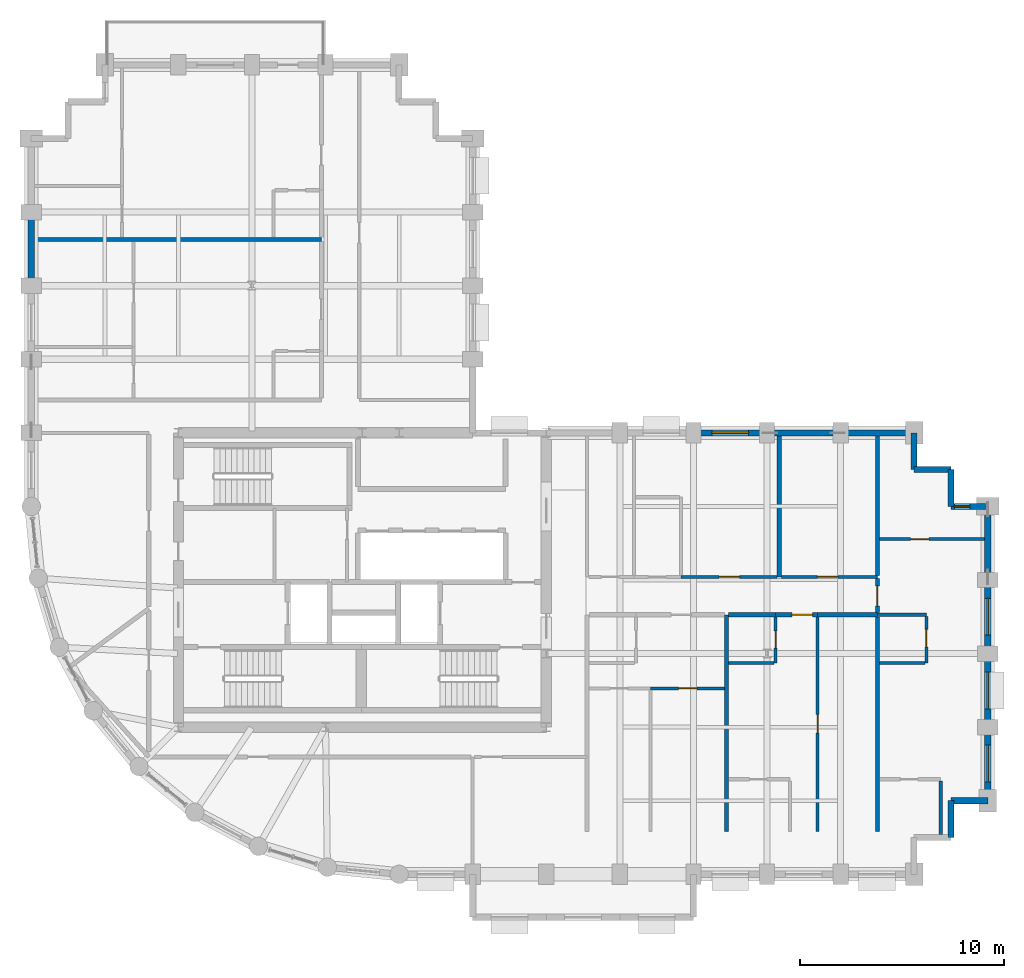
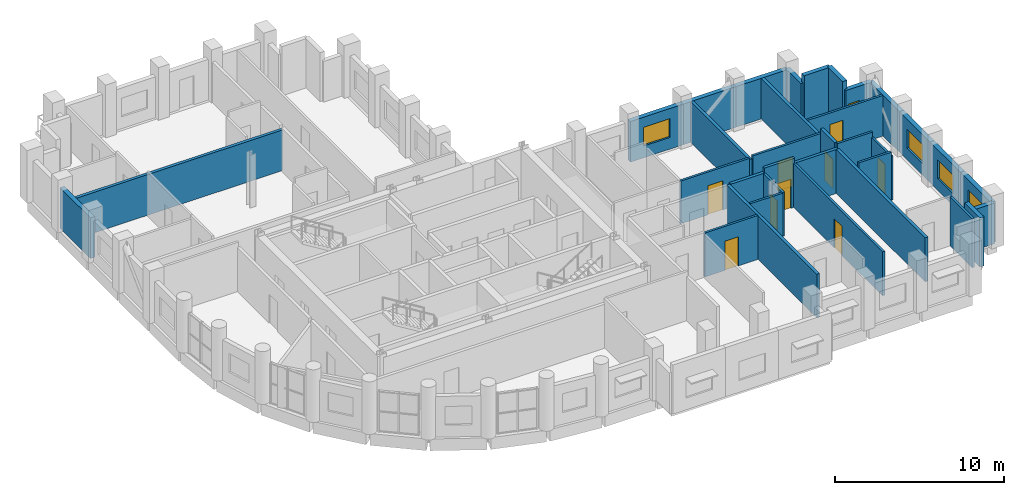
# One storey, part 10 of 14: 34 walls, 9 doors, 5 windows, 14 openings.
"""IFC4 building model written with IfcOpenShell, lengths in metres."""

from ifc_helpers import new_model, si_unit, direction, frame, frame_2d, origin, place, context, subcontext, project, spatial, rectangle, extrude, material, layer, layer_set, type_object, element, fill, save


model = new_model("IFC4")

# Units and contexts
model_context = context("Model", 3, precision=1e-05, world=origin(), true_north=direction((0.0, 1.0)))
body_context = subcontext(model_context, "Body", "Model", "MODEL_VIEW")
ifc_project = project(units=[si_unit("LENGTHUNIT", "METRE"), si_unit("AREAUNIT", "SQUARE_METRE"), si_unit("VOLUMEUNIT", "CUBIC_METRE"), si_unit("PLANEANGLEUNIT", "RADIAN"), si_unit("MASSUNIT", "GRAM", prefix="KILO")], contexts=[model_context])

# Site, building, storey
site_placement = place(None, origin())
site = spatial("IfcSite", under=ifc_project, at=site_placement, CompositionType="ELEMENT")
building_placement = place(site_placement, origin())
building = spatial("IfcBuilding", under=site, at=building_placement, Name="Solnavia Interchange Tower", CompositionType="ELEMENT")
storey_placement = place(building_placement, frame((0.0, 0.0, 135.199951171875)))
storey = spatial("IfcBuildingStorey", under=building, at=storey_placement, Name="L33", CompositionType="ELEMENT", Elevation=135.199951171875)

# Walls
ifc_material_1 = material(Name="Gypsum Acoustic Twin-Stud & Mineral Wool", Category="gypsum")
ifc_layer_1 = layer(ifc_material_1, 0.199951171875)
ifc_layer_set_1 = layer_set([ifc_layer_1], Name="Gypsum Acoustic Twin-Stud & Mineral Wool")
wall_type_1 = type_object("IfcWallType", Name="Wall-ApartmentParty-200", PredefinedType="PARTITIONING", material=ifc_layer_set_1)
wall_1_placement = place(storey_placement, frame((41.219970703125, 5.699951171875, 0.0), z_axis=(0.0, 0.0, 1.0), x_axis=(0.0, 1.0, 0.0)))
element("IfcWall", 1, at=wall_1_placement, inside=storey, type_object=wall_type_1, Name="PTW-L33-16 Interior partition wall", PredefinedType="PARTITIONING", context=body_context, shape_type="SweptSolid", body=[
    extrude(rectangle(XDim=10.60009765625, YDim=0.199951171875, at=frame_2d((5.300048828125, 0.0))), origin(), (0.0, 0.0, 1.0), 3.130126953125),
])
wall_2_placement = place(storey_placement, frame((41.323974609375, 16.300048828125, 0.0), z_axis=(0.0, 0.0, 1.0), x_axis=(1.0, 0.0, 0.0)))
element("IfcWall", 2, at=wall_2_placement, inside=storey, type_object=wall_type_1, Name="PTW-L33-24 Interior partition wall", PredefinedType="PARTITIONING", context=body_context, shape_type="SweptSolid", body=[
    extrude(rectangle(XDim=2.296142578125, YDim=0.199951171875, at=frame_2d((1.14794921875, 0.0))), origin(), (0.0, 0.0, 1.0), 3.179931640625),
])

# Wall, opening, door
wall_3_placement = place(storey_placement, frame((43.6201171875, 16.300048828125, 0.0), z_axis=(0.0, 0.0, 1.0), x_axis=(1.0, 0.0, 0.0)))
wall_3 = element("IfcWall", 3, at=wall_3_placement, inside=storey, type_object=wall_type_1, Name="PTW-L33-27 Interior partition wall", PredefinedType="PARTITIONING", context=body_context, shape_type="SweptSolid", body=[
    extrude(rectangle(XDim=2.059814453125, YDim=0.199951171875, at=frame_2d((1.02978515625, 0.0))), origin(), (0.0, 0.0, 1.0), 3.53515625),
])
opening_1_placement = place(wall_3_placement, frame((0.81005859375, 0.0, 0.0)))
opening_1 = element("IfcOpeningElement", 4, at=opening_1_placement, cuts=wall_3, Name="Opening DR-06", PredefinedType="OPENING", context=body_context, shape_type="SweptSolid", body=[
    extrude(rectangle(XDim=1.0, YDim=2.10009765625, at=frame_2d((0.5, 1.050048828125))), frame((0.0, 0.10986328125, 0.0), z_axis=(0.0, -1.0, 0.0), x_axis=(1.0, 0.0, 0.0)), (0.0, 0.0, 1.0), 0.219970703125),
])
ifc_material_2 = material(Name="Engineered Timber Acoustic Fire Door", Category="wood")
door_type_1 = type_object("IfcDoorType", Name="Door-FlatEntry-1000x2100", OperationType="SINGLE_SWING_LEFT", PredefinedType="DOOR", material=ifc_material_2)
door_1_placement = place(opening_1_placement, origin())
door_1 = element("IfcDoor", 5, at=door_1_placement, inside=storey, type_object=door_type_1, Name="DR-L33-12 Interior room door", OperationType="SINGLE_SWING_LEFT", OverallHeight=2.10009765625, OverallWidth=1.0, PredefinedType="DOOR", context=body_context, shape_type="SweptSolid", body=[
    extrude(rectangle(XDim=1.0, YDim=2.10009765625, at=frame_2d((0.5, 1.050048828125))), frame((0.0, 0.02490234375, 0.0), z_axis=(0.0, -1.0, 0.0), x_axis=(1.0, 0.0, 0.0)), (0.0, 0.0, 1.0), 0.050048828125),
])
fill(opening_1, door_1)

# Walls
wall_4_placement = place(storey_placement, frame((45.679931640625, 16.300048828125, 0.0), z_axis=(0.0, 0.0, 1.0), x_axis=(1.0, 0.0, 0.0)))
element("IfcWall", 6, at=wall_4_placement, inside=storey, type_object=wall_type_1, Name="PTW-L33-28 Interior partition wall", PredefinedType="PARTITIONING", context=body_context, shape_type="SweptSolid", body=[
    extrude(rectangle(XDim=2.920166015625, YDim=0.199951171875, at=frame_2d((1.4599609375, 0.0))), origin(), (0.0, 0.0, 1.0), 3.170166015625),
])
wall_5_placement = place(storey_placement, frame((43.800048828125, 18.14990234375, 0.0), z_axis=(0.0, 0.0, 1.0), x_axis=(0.0, 1.0, 0.0)))
element("IfcWall", 7, at=wall_5_placement, inside=storey, type_object=wall_type_1, Name="PTW-L33-32 Interior partition wall", PredefinedType="PARTITIONING", context=body_context, shape_type="SweptSolid", body=[
    extrude(rectangle(XDim=6.89599609375, YDim=0.199951171875, at=frame_2d((3.447998046875, 0.0))), origin(), (0.0, 0.0, 1.0), 2.929931640625),
])
wall_6_placement = place(storey_placement, frame((48.60009765625, 5.699951171875, 0.0), z_axis=(0.0, 0.0, 1.0), x_axis=(0.0, 1.0, 0.0)))
element("IfcWall", 8, at=wall_6_placement, inside=storey, type_object=wall_type_1, Name="PTW-L33-35 Interior partition wall", PredefinedType="PARTITIONING", context=body_context, shape_type="SweptSolid", body=[
    extrude(rectangle(XDim=10.49609375, YDim=0.199951171875, at=frame_2d((5.248046875, 0.0))), origin(), (0.0, 0.0, 1.0), 3.170166015625),
])
wall_7_placement = place(storey_placement, frame((48.60009765625, 18.22900390625, 0.0), z_axis=(0.0, 0.0, 1.0), x_axis=(0.0, 1.0, 0.0)))
element("IfcWall", 9, at=wall_7_placement, inside=storey, type_object=wall_type_1, Name="PTW-L33-36 Interior partition wall", PredefinedType="PARTITIONING", context=body_context, shape_type="SweptSolid", body=[
    extrude(rectangle(XDim=6.81689453125, YDim=0.199951171875, at=frame_2d((3.408447265625, 0.0))), origin(), (0.0, 0.0, 1.0), 2.929931640625),
])

# Wall, opening, door
wall_8_placement = place(storey_placement, frame((48.60009765625, 16.404052734375, 0.0), z_axis=(0.0, 0.0, 1.0), x_axis=(0.0, 1.0, 0.0)))
wall_8 = element("IfcWall", 10, at=wall_8_placement, inside=storey, type_object=wall_type_1, Name="PTW-L33-37 Interior partition wall", PredefinedType="PARTITIONING", context=body_context, shape_type="SweptSolid", body=[
    extrude(rectangle(XDim=1.6669921875, YDim=0.199951171875, at=frame_2d((0.83349609375, 0.0))), origin(), (0.0, 0.0, 1.0), 3.53515625),
])
opening_2_placement = place(wall_8_placement, frame((0.31396484375, 0.0, 0.0)))
opening_2 = element("IfcOpeningElement", 11, at=opening_2_placement, cuts=wall_8, Name="Opening DR-06", PredefinedType="OPENING", context=body_context, shape_type="SweptSolid", body=[
    extrude(rectangle(XDim=1.0, YDim=2.10009765625, at=frame_2d((0.5, 1.050048828125))), frame((0.0, 0.10986328125, 0.0), z_axis=(0.0, -1.0, 0.0), x_axis=(1.0, 0.0, 0.0)), (0.0, 0.0, 1.0), 0.219970703125),
])
door_2_placement = place(opening_2_placement, origin())
door_2 = element("IfcDoor", 12, at=door_2_placement, inside=storey, type_object=door_type_1, Name="DR-L33-17 Interior room door", OperationType="SINGLE_SWING_RIGHT", OverallHeight=2.10009765625, OverallWidth=1.0, PredefinedType="DOOR", context=body_context, shape_type="SweptSolid", body=[
    extrude(rectangle(XDim=1.0, YDim=2.10009765625, at=frame_2d((0.5, 1.050048828125))), frame((0.0, 0.02490234375, 0.0), z_axis=(0.0, -1.0, 0.0), x_axis=(1.0, 0.0, 0.0)), (0.0, 0.0, 1.0), 0.050048828125),
])
fill(opening_2, door_2)

# Walls
wall_9_placement = place(storey_placement, frame((7.35400390625, 34.669921875, 0.0), z_axis=(0.0, 0.0, 1.0), x_axis=(1.0, 0.0, 0.0)))
element("IfcWall", 13, at=wall_9_placement, inside=storey, type_object=wall_type_1, Name="PTW-L33-45 Interior partition wall", PredefinedType="PARTITIONING", context=body_context, shape_type="SweptSolid", body=[
    extrude(rectangle(XDim=14.0458984375, YDim=0.199951171875, at=frame_2d((7.02294921875, 0.0))), origin(), (0.0, 0.0, 1.0), 2.929931640625),
])
ifc_material_3 = material(Name="Concrete C40/50", Category="concrete")
ifc_layer_2 = layer(ifc_material_3, 0.300048828125)
ifc_layer_set_2 = layer_set([ifc_layer_2], Name="Concrete C40/50")
wall_type_2 = type_object("IfcWallType", Name="Wall-ExtSpandrel-300", PredefinedType="STANDARD", material=ifc_layer_set_2)
wall_10_placement = place(storey_placement, frame((52.199951171875, 7.199951171875, 0.0), z_axis=(0.0, 0.0, 1.0), x_axis=(0.0, -1.0, 0.0)))
element("IfcWall", 14, at=wall_10_placement, inside=storey, type_object=wall_type_2, Name="EXW-L33-12 Exterior precast spandrel wall", PredefinedType="STANDARD", context=body_context, shape_type="SweptSolid", body=[
    extrude(rectangle(XDim=1.800048828125, YDim=0.300048828125, at=frame_2d((0.89990234375, 0.0))), origin(), (0.0, 0.0, 1.0), 3.53515625),
])
wall_11_placement = place(storey_placement, frame((54.0, 7.199951171875, 0.0), z_axis=(0.0, 0.0, 1.0), x_axis=(-1.0, 0.0, 0.0)))
element("IfcWall", 15, at=wall_11_placement, inside=storey, type_object=wall_type_2, Name="EXW-L33-13 Exterior precast spandrel wall", PredefinedType="STANDARD", context=body_context, shape_type="SweptSolid", body=[
    extrude(rectangle(XDim=1.800048828125, YDim=0.300048828125, at=frame_2d((0.89990234375, 0.0))), origin(), (0.0, 0.0, 1.0), 2.929931640625),
])

# Wall, opening, window
wall_12_placement = place(storey_placement, frame((54.0, 10.800048828125, 0.0), z_axis=(0.0, 0.0, 1.0), x_axis=(0.0, -1.0, 0.0)))
wall_12 = element("IfcWall", 16, at=wall_12_placement, inside=storey, type_object=wall_type_2, Name="EXW-L33-14 Exterior precast spandrel wall", PredefinedType="STANDARD", context=body_context, shape_type="SweptSolid", body=[
    extrude(rectangle(XDim=3.60009765625, YDim=0.300048828125, at=frame_2d((1.800048828125, 0.0))), origin(), (0.0, 0.0, 1.0), 2.929931640625),
])
opening_3_placement = place(wall_12_placement, frame((0.875, 0.0, 0.85009765625)))
opening_3 = element("IfcOpeningElement", 17, at=opening_3_placement, cuts=wall_12, Name="Opening WIN-02", PredefinedType="OPENING", context=body_context, shape_type="SweptSolid", body=[
    extrude(rectangle(XDim=1.800048828125, YDim=1.35009765625, at=frame_2d((0.89990234375, 0.675048828125))), frame((0.0, 0.16015625, 0.0), z_axis=(0.0, -1.0, 0.0), x_axis=(1.0, 0.0, 0.0)), (0.0, 0.0, 1.0), 0.320068359375),
])
ifc_material_4 = material(Name="Thermal-Break Aluminium & Low-E Glass", Category="aluminium")
window_type_1 = type_object("IfcWindowType", Name="Window-Ribbon-1800x1350", PartitioningType="SINGLE_PANEL", PredefinedType="WINDOW", material=ifc_material_4)
window_1_placement = place(opening_3_placement, origin())
window_1 = element("IfcWindow", 18, at=window_1_placement, inside=storey, type_object=window_type_1, Name="WIN-L33-14 Facade ribbon window", OverallHeight=1.35009765625, OverallWidth=1.800048828125, PartitioningType="SINGLE_PANEL", PredefinedType="WINDOW", context=body_context, shape_type="SweptSolid", body=[
    extrude(rectangle(XDim=1.800048828125, YDim=1.35009765625, at=frame_2d((0.89990234375, 0.675048828125))), frame((0.0, 0.030029296875, 0.0), z_axis=(0.0, -1.0, 0.0), x_axis=(1.0, 0.0, 0.0)), (0.0, 0.0, 1.0), 0.06005859375),
])
fill(opening_3, window_1)

wall_13_placement = place(storey_placement, frame((54.0, 14.39990234375, 0.0), z_axis=(0.0, 0.0, 1.0), x_axis=(0.0, -1.0, 0.0)))
wall_13 = element("IfcWall", 19, at=wall_13_placement, inside=storey, type_object=wall_type_2, Name="EXW-L33-15 Exterior precast spandrel wall", PredefinedType="STANDARD", context=body_context, shape_type="SweptSolid", body=[
    extrude(rectangle(XDim=3.599853515625, YDim=0.300048828125, at=frame_2d((1.7998046875, 0.0))), origin(), (0.0, 0.0, 1.0), 2.929931640625),
])
opening_4_placement = place(wall_13_placement, frame((0.89990234375, 0.0, 0.85009765625)))
opening_4 = element("IfcOpeningElement", 20, at=opening_4_placement, cuts=wall_13, Name="Opening WIN-02", PredefinedType="OPENING", context=body_context, shape_type="SweptSolid", body=[
    extrude(rectangle(XDim=1.800048828125, YDim=1.35009765625, at=frame_2d((0.89990234375, 0.675048828125))), frame((0.0, 0.16015625, 0.0), z_axis=(0.0, -1.0, 0.0), x_axis=(1.0, 0.0, 0.0)), (0.0, 0.0, 1.0), 0.320068359375),
])
window_2_placement = place(opening_4_placement, origin())
window_2 = element("IfcWindow", 21, at=window_2_placement, inside=storey, type_object=window_type_1, Name="WIN-L33-15 Facade ribbon window", OverallHeight=1.35009765625, OverallWidth=1.800048828125, PartitioningType="SINGLE_PANEL", PredefinedType="WINDOW", context=body_context, shape_type="SweptSolid", body=[
    extrude(rectangle(XDim=1.800048828125, YDim=1.35009765625, at=frame_2d((0.89990234375, 0.675048828125))), frame((0.0, 0.030029296875, 0.0), z_axis=(0.0, -1.0, 0.0), x_axis=(1.0, 0.0, 0.0)), (0.0, 0.0, 1.0), 0.06005859375),
])
fill(opening_4, window_2)

wall_14_placement = place(storey_placement, frame((54.0, 18.0, 0.0), z_axis=(0.0, 0.0, 1.0), x_axis=(0.0, -1.0, 0.0)))
wall_14 = element("IfcWall", 22, at=wall_14_placement, inside=storey, type_object=wall_type_2, Name="EXW-L33-16 Exterior precast spandrel wall", PredefinedType="STANDARD", context=body_context, shape_type="SweptSolid", body=[
    extrude(rectangle(XDim=3.60009765625, YDim=0.300048828125, at=frame_2d((1.800048828125, 0.0))), origin(), (0.0, 0.0, 1.0), 2.929931640625),
])
opening_5_placement = place(wall_14_placement, frame((0.89990234375, 0.0, 0.85009765625)))
opening_5 = element("IfcOpeningElement", 23, at=opening_5_placement, cuts=wall_14, Name="Opening WIN-02", PredefinedType="OPENING", context=body_context, shape_type="SweptSolid", body=[
    extrude(rectangle(XDim=1.800048828125, YDim=1.35009765625, at=frame_2d((0.89990234375, 0.675048828125))), frame((0.0, 0.16015625, 0.0), z_axis=(0.0, -1.0, 0.0), x_axis=(1.0, 0.0, 0.0)), (0.0, 0.0, 1.0), 0.320068359375),
])
window_3_placement = place(opening_5_placement, origin())
window_3 = element("IfcWindow", 24, at=window_3_placement, inside=storey, type_object=window_type_1, Name="WIN-L33-16 Facade ribbon window", OverallHeight=1.35009765625, OverallWidth=1.800048828125, PartitioningType="SINGLE_PANEL", PredefinedType="WINDOW", context=body_context, shape_type="SweptSolid", body=[
    extrude(rectangle(XDim=1.800048828125, YDim=1.35009765625, at=frame_2d((0.89990234375, 0.675048828125))), frame((0.0, 0.030029296875, 0.0), z_axis=(0.0, -1.0, 0.0), x_axis=(1.0, 0.0, 0.0)), (0.0, 0.0, 1.0), 0.06005859375),
])
fill(opening_5, window_3)

# Wall
wall_15_placement = place(storey_placement, frame((54.0, 21.60009765625, 0.0), z_axis=(0.0, 0.0, 1.0), x_axis=(0.0, -1.0, 0.0)))
element("IfcWall", 25, at=wall_15_placement, inside=storey, type_object=wall_type_2, Name="EXW-L33-17 Exterior precast spandrel wall", PredefinedType="STANDARD", context=body_context, shape_type="SweptSolid", body=[
    extrude(rectangle(XDim=3.60009765625, YDim=0.300048828125, at=frame_2d((1.800048828125, 0.0))), origin(), (0.0, 0.0, 1.0), 2.929931640625),
])

# Wall, opening, window
wall_16_placement = place(storey_placement, frame((52.199951171875, 21.60009765625, 0.0), z_axis=(0.0, 0.0, 1.0), x_axis=(1.0, 0.0, 0.0)))
wall_16 = element("IfcWall", 26, at=wall_16_placement, inside=storey, type_object=wall_type_2, Name="EXW-L33-18 Exterior precast spandrel wall", PredefinedType="STANDARD", context=body_context, shape_type="SweptSolid", body=[
    extrude(rectangle(XDim=1.800048828125, YDim=0.300048828125, at=frame_2d((0.89990234375, 0.0))), origin(), (0.0, 0.0, 1.0), 2.929931640625),
])
opening_6_placement = place(wall_16_placement, frame((0.179931640625, 0.0, 0.85009765625)))
opening_6 = element("IfcOpeningElement", 27, at=opening_6_placement, cuts=wall_16, Name="Opening WIN-08", PredefinedType="OPENING", context=body_context, shape_type="SweptSolid", body=[
    extrude(rectangle(XDim=0.75, YDim=1.050048828125, at=frame_2d((0.375, 0.52490234375))), frame((0.0, 0.16015625, 0.0), z_axis=(0.0, -1.0, 0.0), x_axis=(1.0, 0.0, 0.0)), (0.0, 0.0, 1.0), 0.320068359375),
])
window_type_2 = type_object("IfcWindowType", Name="Window-Bedroom-750x1050", PartitioningType="SINGLE_PANEL", PredefinedType="WINDOW", material=ifc_material_4)
window_4_placement = place(opening_6_placement, origin())
window_4 = element("IfcWindow", 28, at=window_4_placement, inside=storey, type_object=window_type_2, Name="WIN-L33-DW01 Dwelling bedroom window", OverallHeight=1.050048828125, OverallWidth=0.75, PartitioningType="SINGLE_PANEL", PredefinedType="WINDOW", context=body_context, shape_type="SweptSolid", body=[
    extrude(rectangle(XDim=0.75, YDim=1.050048828125, at=frame_2d((0.375, 0.52490234375))), frame((0.0, 0.030029296875, 0.0), z_axis=(0.0, -1.0, 0.0), x_axis=(1.0, 0.0, 0.0)), (0.0, 0.0, 1.0), 0.06005859375),
])
fill(opening_6, window_4)

# Walls
wall_17_placement = place(storey_placement, frame((52.199951171875, 23.39990234375, 0.0), z_axis=(0.0, 0.0, 1.0), x_axis=(0.0, -1.0, 0.0)))
element("IfcWall", 29, at=wall_17_placement, inside=storey, type_object=wall_type_2, Name="EXW-L33-19 Exterior precast spandrel wall", PredefinedType="STANDARD", context=body_context, shape_type="SweptSolid", body=[
    extrude(rectangle(XDim=1.7998046875, YDim=0.300048828125, at=frame_2d((0.89990234375, 0.0))), origin(), (0.0, 0.0, 1.0), 3.53515625),
])
wall_18_placement = place(storey_placement, frame((50.39990234375, 23.39990234375, 0.0), z_axis=(0.0, 0.0, 1.0), x_axis=(1.0, 0.0, 0.0)))
element("IfcWall", 30, at=wall_18_placement, inside=storey, type_object=wall_type_2, Name="EXW-L33-20 Exterior precast spandrel wall", PredefinedType="STANDARD", context=body_context, shape_type="SweptSolid", body=[
    extrude(rectangle(XDim=1.800048828125, YDim=0.300048828125, at=frame_2d((0.89990234375, 0.0))), origin(), (0.0, 0.0, 1.0), 3.53515625),
])
wall_19_placement = place(storey_placement, frame((50.39990234375, 25.199951171875, 0.0), z_axis=(0.0, 0.0, 1.0), x_axis=(0.0, -1.0, 0.0)))
element("IfcWall", 31, at=wall_19_placement, inside=storey, type_object=wall_type_2, Name="EXW-L33-21 Exterior precast spandrel wall", PredefinedType="STANDARD", context=body_context, shape_type="SweptSolid", body=[
    extrude(rectangle(XDim=1.800048828125, YDim=0.300048828125, at=frame_2d((0.89990234375, 0.0))), origin(), (0.0, 0.0, 1.0), 2.929931640625),
])
wall_20_placement = place(storey_placement, frame((46.800048828125, 25.199951171875, 0.0), z_axis=(0.0, 0.0, 1.0), x_axis=(1.0, 0.0, 0.0)))
element("IfcWall", 32, at=wall_20_placement, inside=storey, type_object=wall_type_2, Name="EXW-L33-22 Exterior precast spandrel wall", PredefinedType="STANDARD", context=body_context, shape_type="SweptSolid", body=[
    extrude(rectangle(XDim=3.599853515625, YDim=0.300048828125, at=frame_2d((1.7998046875, 0.0))), origin(), (0.0, 0.0, 1.0), 2.929931640625),
])
wall_21_placement = place(storey_placement, frame((43.199951171875, 25.199951171875, 0.0), z_axis=(0.0, 0.0, 1.0), x_axis=(1.0, 0.0, 0.0)))
element("IfcWall", 33, at=wall_21_placement, inside=storey, type_object=wall_type_2, Name="EXW-L33-23 Exterior precast spandrel wall", PredefinedType="STANDARD", context=body_context, shape_type="SweptSolid", body=[
    extrude(rectangle(XDim=3.60009765625, YDim=0.300048828125, at=frame_2d((1.800048828125, 0.0))), origin(), (0.0, 0.0, 1.0), 2.929931640625),
])

# Wall, opening, window
wall_22_placement = place(storey_placement, frame((39.60009765625, 25.199951171875, 0.0), z_axis=(0.0, 0.0, 1.0), x_axis=(1.0, 0.0, 0.0)))
wall_22 = element("IfcWall", 34, at=wall_22_placement, inside=storey, type_object=wall_type_2, Name="EXW-L33-24 Exterior precast spandrel wall", PredefinedType="STANDARD", context=body_context, shape_type="SweptSolid", body=[
    extrude(rectangle(XDim=3.599853515625, YDim=0.300048828125, at=frame_2d((1.7998046875, 0.0))), origin(), (0.0, 0.0, 1.0), 2.929931640625),
])
opening_7_placement = place(wall_22_placement, frame((0.89990234375, 0.0, 0.85009765625)))
opening_7 = element("IfcOpeningElement", 35, at=opening_7_placement, cuts=wall_22, Name="Opening WIN-02", PredefinedType="OPENING", context=body_context, shape_type="SweptSolid", body=[
    extrude(rectangle(XDim=1.800048828125, YDim=1.35009765625, at=frame_2d((0.89990234375, 0.675048828125))), frame((0.0, 0.16015625, 0.0), z_axis=(0.0, -1.0, 0.0), x_axis=(1.0, 0.0, 0.0)), (0.0, 0.0, 1.0), 0.320068359375),
])
window_5_placement = place(opening_7_placement, origin())
window_5 = element("IfcWindow", 36, at=window_5_placement, inside=storey, type_object=window_type_1, Name="WIN-L33-24 Facade ribbon window", OverallHeight=1.35009765625, OverallWidth=1.800048828125, PartitioningType="SINGLE_PANEL", PredefinedType="WINDOW", context=body_context, shape_type="SweptSolid", body=[
    extrude(rectangle(XDim=1.800048828125, YDim=1.35009765625, at=frame_2d((0.89990234375, 0.675048828125))), frame((0.0, 0.030029296875, 0.0), z_axis=(0.0, -1.0, 0.0), x_axis=(1.0, 0.0, 0.0)), (0.0, 0.0, 1.0), 0.06005859375),
])
fill(opening_7, window_5)

# Wall
wall_23_placement = place(storey_placement, frame((7.199951171875, 32.39990234375, 0.0), z_axis=(0.0, 0.0, 1.0), x_axis=(0.0, 1.0, 0.0)))
element("IfcWall", 37, at=wall_23_placement, inside=storey, type_object=wall_type_2, Name="EXW-L33-45 Exterior precast spandrel wall", PredefinedType="STANDARD", context=body_context, shape_type="SweptSolid", body=[
    extrude(rectangle(XDim=3.60009765625, YDim=0.300048828125, at=frame_2d((1.800048828125, 0.0))), origin(), (0.0, 0.0, 1.0), 2.929931640625),
])

# Wall, opening, door
ifc_material_5 = material(Name="Gypsum Plasterboard & Steel Stud", Category="steel")
ifc_layer_3 = layer(ifc_material_5, 0.14990234375)
ifc_layer_set_3 = layer_set([ifc_layer_3], Name="Gypsum Plasterboard & Steel Stud")
wall_type_3 = type_object("IfcWallType", Name="Wall-Partition-150", PredefinedType="PARTITIONING", material=ifc_layer_set_3)
wall_24_placement = place(storey_placement, frame((37.5, 12.699951171875, 0.0), z_axis=(0.0, 0.0, 1.0), x_axis=(1.0, 0.0, 0.0)))
wall_24 = element("IfcWall", 38, at=wall_24_placement, inside=storey, type_object=wall_type_3, Name="PTW-L33-21 Interior partition wall", PredefinedType="PARTITIONING", context=body_context, shape_type="SweptSolid", body=[
    extrude(rectangle(XDim=3.615966796875, YDim=0.14990234375, at=frame_2d((1.80810546875, 0.0))), origin(), (0.0, 0.0, 1.0), 3.170166015625),
])
opening_8_placement = place(wall_24_placement, frame((1.37109375, 0.0, 0.0)))
opening_8 = element("IfcOpeningElement", 39, at=opening_8_placement, cuts=wall_24, Name="Opening DR-09", PredefinedType="OPENING", context=body_context, shape_type="SweptSolid", body=[
    extrude(rectangle(XDim=0.89990234375, YDim=2.10009765625, at=frame_2d((0.449951171875, 1.050048828125))), frame((0.0, 0.0849609375, 0.0), z_axis=(0.0, -1.0, 0.0), x_axis=(1.0, 0.0, 0.0)), (0.0, 0.0, 1.0), 0.169921875),
])
ifc_material_6 = material(Name="Engineered Oak Veneer Door", Category="wood")
door_type_2 = type_object("IfcDoorType", Name="Door-Internal-900x2100", OperationType="SINGLE_SWING_LEFT", PredefinedType="DOOR", material=ifc_material_6)
door_3_placement = place(opening_8_placement, origin())
door_3 = element("IfcDoor", 40, at=door_3_placement, inside=storey, type_object=door_type_2, Name="DR-L33-09 Interior room door", OperationType="SINGLE_SWING_RIGHT", OverallHeight=2.10009765625, OverallWidth=0.89990234375, PredefinedType="DOOR", context=body_context, shape_type="SweptSolid", body=[
    extrude(rectangle(XDim=0.89990234375, YDim=2.10009765625, at=frame_2d((0.449951171875, 1.050048828125))), frame((0.0, 0.02490234375, 0.0), z_axis=(0.0, -1.0, 0.0), x_axis=(1.0, 0.0, 0.0)), (0.0, 0.0, 1.0), 0.050048828125),
])
fill(opening_8, door_3)

wall_25_placement = place(storey_placement, frame((45.679931640625, 5.699951171875, 0.0), z_axis=(0.0, 0.0, 1.0), x_axis=(0.0, 1.0, 0.0)))
wall_25 = element("IfcWall", 41, at=wall_25_placement, inside=storey, type_object=wall_type_3, Name="PTW-L33-29 Interior partition wall", PredefinedType="PARTITIONING", context=body_context, shape_type="SweptSolid", body=[
    extrude(rectangle(XDim=10.49609375, YDim=0.14990234375, at=frame_2d((5.248046875, 0.0))), origin(), (0.0, 0.0, 1.0), 3.170166015625),
])
opening_9_placement = place(wall_25_placement, frame((4.81005859375, 0.0, 0.0)))
opening_9 = element("IfcOpeningElement", 42, at=opening_9_placement, cuts=wall_25, Name="Opening DR-09", PredefinedType="OPENING", context=body_context, shape_type="SweptSolid", body=[
    extrude(rectangle(XDim=0.89990234375, YDim=2.10009765625, at=frame_2d((0.449951171875, 1.050048828125))), frame((0.0, 0.0849609375, 0.0), z_axis=(0.0, -1.0, 0.0), x_axis=(1.0, 0.0, 0.0)), (0.0, 0.0, 1.0), 0.169921875),
])
door_4_placement = place(opening_9_placement, origin())
door_4 = element("IfcDoor", 43, at=door_4_placement, inside=storey, type_object=door_type_2, Name="DR-L33-13 Interior room door", OperationType="SINGLE_SWING_RIGHT", OverallHeight=2.10009765625, OverallWidth=0.89990234375, PredefinedType="DOOR", context=body_context, shape_type="SweptSolid", body=[
    extrude(rectangle(XDim=0.89990234375, YDim=2.10009765625, at=frame_2d((0.449951171875, 1.050048828125))), frame((0.0, 0.02490234375, 0.0), z_axis=(0.0, -1.0, 0.0), x_axis=(1.0, 0.0, 0.0)), (0.0, 0.0, 1.0), 0.050048828125),
])
fill(opening_9, door_4)

wall_26_placement = place(storey_placement, frame((39.0, 18.14990234375, 0.0), z_axis=(0.0, 0.0, 1.0), x_axis=(1.0, 0.0, 0.0)))
wall_26 = element("IfcWall", 44, at=wall_26_placement, inside=storey, type_object=wall_type_3, Name="PTW-L33-33 Interior partition wall", PredefinedType="PARTITIONING", context=body_context, shape_type="SweptSolid", body=[
    extrude(rectangle(XDim=4.696044921875, YDim=0.14990234375, at=frame_2d((2.34814453125, 0.0))), origin(), (0.0, 0.0, 1.0), 3.080078125),
])
opening_10_placement = place(wall_26_placement, frame((1.861083984375, 0.0, 0.0)))
opening_10 = element("IfcOpeningElement", 45, at=opening_10_placement, cuts=wall_26, Name="Opening DR-07", PredefinedType="OPENING", context=body_context, shape_type="SweptSolid", body=[
    extrude(rectangle(XDim=1.0, YDim=2.10009765625, at=frame_2d((0.5, 1.050048828125))), frame((0.0, 0.0849609375, 0.0), z_axis=(0.0, -1.0, 0.0), x_axis=(1.0, 0.0, 0.0)), (0.0, 0.0, 1.0), 0.169921875),
])
ifc_material_7 = material(Name="Timber & Acoustic Glazed Office Door", Category="wood")
door_type_3 = type_object("IfcDoorType", Name="Door-Office-1000x2100", OperationType="SINGLE_SWING_RIGHT", PredefinedType="DOOR", material=ifc_material_7)
door_5_placement = place(opening_10_placement, origin())
door_5 = element("IfcDoor", 46, at=door_5_placement, inside=storey, type_object=door_type_3, Name="DR-L33-15 Interior room door", OperationType="SINGLE_SWING_RIGHT", OverallHeight=2.10009765625, OverallWidth=1.0, PredefinedType="DOOR", context=body_context, shape_type="SweptSolid", body=[
    extrude(rectangle(XDim=1.0, YDim=2.10009765625, at=frame_2d((0.5, 1.050048828125))), frame((0.0, 0.02490234375, 0.0), z_axis=(0.0, -1.0, 0.0), x_axis=(1.0, 0.0, 0.0)), (0.0, 0.0, 1.0), 0.050048828125),
])
fill(opening_10, door_5)

wall_27_placement = place(storey_placement, frame((43.904052734375, 18.14990234375, 0.0), z_axis=(0.0, 0.0, 1.0), x_axis=(1.0, 0.0, 0.0)))
wall_27 = element("IfcWall", 47, at=wall_27_placement, inside=storey, type_object=wall_type_3, Name="PTW-L33-34 Interior partition wall", PredefinedType="PARTITIONING", context=body_context, shape_type="SweptSolid", body=[
    extrude(rectangle(XDim=4.696044921875, YDim=0.14990234375, at=frame_2d((2.34814453125, 0.0))), origin(), (0.0, 0.0, 1.0), 3.170166015625),
])
opening_11_placement = place(wall_27_placement, frame((1.757080078125, 0.0, 0.0)))
opening_11 = element("IfcOpeningElement", 48, at=opening_11_placement, cuts=wall_27, Name="Opening DR-07", PredefinedType="OPENING", context=body_context, shape_type="SweptSolid", body=[
    extrude(rectangle(XDim=1.0, YDim=2.10009765625, at=frame_2d((0.5, 1.050048828125))), frame((0.0, 0.0849609375, 0.0), z_axis=(0.0, -1.0, 0.0), x_axis=(1.0, 0.0, 0.0)), (0.0, 0.0, 1.0), 0.169921875),
])
door_6_placement = place(opening_11_placement, origin())
door_6 = element("IfcDoor", 49, at=door_6_placement, inside=storey, type_object=door_type_3, Name="DR-L33-16 Interior room door", OperationType="SINGLE_SWING_RIGHT", OverallHeight=2.10009765625, OverallWidth=1.0, PredefinedType="DOOR", context=body_context, shape_type="SweptSolid", body=[
    extrude(rectangle(XDim=1.0, YDim=2.10009765625, at=frame_2d((0.5, 1.050048828125))), frame((0.0, 0.02490234375, 0.0), z_axis=(0.0, -1.0, 0.0), x_axis=(1.0, 0.0, 0.0)), (0.0, 0.0, 1.0), 0.050048828125),
])
fill(opening_11, door_6)

wall_28_placement = place(storey_placement, frame((48.7041015625, 20.0, 0.0), z_axis=(0.0, 0.0, 1.0), x_axis=(1.0, 0.0, 0.0)))
wall_28 = element("IfcWall", 50, at=wall_28_placement, inside=storey, type_object=wall_type_3, Name="PTW-L33-41 Interior partition wall", PredefinedType="PARTITIONING", context=body_context, shape_type="SweptSolid", body=[
    extrude(rectangle(XDim=5.141845703125, YDim=0.14990234375, at=frame_2d((2.57080078125, 0.0))), origin(), (0.0, 0.0, 1.0), 2.929931640625),
])
opening_12_placement = place(wall_28_placement, frame((1.51611328125, 0.0, 0.0)))
opening_12 = element("IfcOpeningElement", 51, at=opening_12_placement, cuts=wall_28, Name="Opening DR-09", PredefinedType="OPENING", context=body_context, shape_type="SweptSolid", body=[
    extrude(rectangle(XDim=0.89990234375, YDim=2.10009765625, at=frame_2d((0.449951171875, 1.050048828125))), frame((0.0, 0.0849609375, 0.0), z_axis=(0.0, -1.0, 0.0), x_axis=(1.0, 0.0, 0.0)), (0.0, 0.0, 1.0), 0.169921875),
])
door_7_placement = place(opening_12_placement, origin())
door_7 = element("IfcDoor", 52, at=door_7_placement, inside=storey, type_object=door_type_2, Name="DR-L33-19 Interior room door", OperationType="SINGLE_SWING_LEFT", OverallHeight=2.10009765625, OverallWidth=0.89990234375, PredefinedType="DOOR", context=body_context, shape_type="SweptSolid", body=[
    extrude(rectangle(XDim=0.89990234375, YDim=2.10009765625, at=frame_2d((0.449951171875, 1.050048828125))), frame((0.0, 0.02490234375, 0.0), z_axis=(0.0, -1.0, 0.0), x_axis=(1.0, 0.0, 0.0)), (0.0, 0.0, 1.0), 0.050048828125),
])
fill(opening_12, door_7)

ifc_material_8 = material(Name="Moisture-Resistant Gypsum & Steel Stud", Category="steel")
ifc_layer_4 = layer(ifc_material_8, 0.14990234375)
ifc_layer_set_4 = layer_set([ifc_layer_4], Name="Moisture-Resistant Gypsum & Steel Stud")
wall_type_4 = type_object("IfcWallType", Name="Wall-WetRoom-150", PredefinedType="PARTITIONING", material=ifc_layer_set_4)
wall_29_placement = place(storey_placement, frame((43.6201171875, 13.949951171875, 0.0), z_axis=(0.0, 0.0, 1.0), x_axis=(0.0, 1.0, 0.0)))
wall_29 = element("IfcWall", 53, at=wall_29_placement, inside=storey, type_object=wall_type_4, Name="PTW-L33-25 Interior partition wall", PredefinedType="PARTITIONING", context=body_context, shape_type="SweptSolid", body=[
    extrude(rectangle(XDim=2.24609375, YDim=0.14990234375, at=frame_2d((1.123046875, 0.0))), origin(), (0.0, 0.0, 1.0), 3.170166015625),
])
opening_13_placement = place(wall_29_placement, frame((0.7119140625, 0.0, 0.0)))
opening_13 = element("IfcOpeningElement", 54, at=opening_13_placement, cuts=wall_29, Name="Opening DR-10", PredefinedType="OPENING", context=body_context, shape_type="SweptSolid", body=[
    extrude(rectangle(XDim=0.85009765625, YDim=2.10009765625, at=frame_2d((0.425048828125, 1.050048828125))), frame((0.0, 0.0849609375, 0.0), z_axis=(0.0, -1.0, 0.0), x_axis=(1.0, 0.0, 0.0)), (0.0, 0.0, 1.0), 0.169921875),
])
ifc_material_9 = material(Name="Moisture-Resistant Timber Door", Category="wood")
door_type_4 = type_object("IfcDoorType", Name="Door-Bathroom-850x2100", OperationType="SINGLE_SWING_RIGHT", PredefinedType="DOOR", material=ifc_material_9)
door_8_placement = place(opening_13_placement, origin())
door_8 = element("IfcDoor", 55, at=door_8_placement, inside=storey, type_object=door_type_4, Name="DR-L33-11 Interior room door", OperationType="SINGLE_SWING_RIGHT", OverallHeight=2.10009765625, OverallWidth=0.85009765625, PredefinedType="DOOR", context=body_context, shape_type="SweptSolid", body=[
    extrude(rectangle(XDim=0.85009765625, YDim=2.10009765625, at=frame_2d((0.425048828125, 1.050048828125))), frame((0.0, 0.02490234375, 0.0), z_axis=(0.0, -1.0, 0.0), x_axis=(1.0, 0.0, 0.0)), (0.0, 0.0, 1.0), 0.050048828125),
])
fill(opening_13, door_8)

# Walls
wall_30_placement = place(storey_placement, frame((41.323974609375, 13.949951171875, 0.0), z_axis=(0.0, 0.0, 1.0), x_axis=(1.0, 0.0, 0.0)))
element("IfcWall", 56, at=wall_30_placement, inside=storey, type_object=wall_type_4, Name="PTW-L33-26 Interior partition wall", PredefinedType="PARTITIONING", context=body_context, shape_type="SweptSolid", body=[
    extrude(rectangle(XDim=2.217041015625, YDim=0.14990234375, at=frame_2d((1.1083984375, 0.0))), origin(), (0.0, 0.0, 1.0), 3.179931640625),
])
wall_31_placement = place(storey_placement, frame((48.60009765625, 16.300048828125, 0.0), z_axis=(0.0, 0.0, 1.0), x_axis=(1.0, 0.0, 0.0)))
element("IfcWall", 57, at=wall_31_placement, inside=storey, type_object=wall_type_4, Name="PTW-L33-38 Interior partition wall", PredefinedType="PARTITIONING", context=body_context, shape_type="SweptSolid", body=[
    extrude(rectangle(XDim=2.39990234375, YDim=0.14990234375, at=frame_2d((1.199951171875, 0.0))), origin(), (0.0, 0.0, 1.0), 3.53515625),
])

# Wall, opening, door
wall_32_placement = place(storey_placement, frame((51.0, 13.949951171875, 0.0), z_axis=(0.0, 0.0, 1.0), x_axis=(0.0, 1.0, 0.0)))
wall_32 = element("IfcWall", 58, at=wall_32_placement, inside=storey, type_object=wall_type_4, Name="PTW-L33-39 Interior partition wall", PredefinedType="PARTITIONING", context=body_context, shape_type="SweptSolid", body=[
    extrude(rectangle(XDim=2.27099609375, YDim=0.14990234375, at=frame_2d((1.135498046875, 0.0))), origin(), (0.0, 0.0, 1.0), 3.170166015625),
])
opening_14_placement = place(wall_32_placement, frame((0.780029296875, 0.0, 0.0)))
opening_14 = element("IfcOpeningElement", 59, at=opening_14_placement, cuts=wall_32, Name="Opening DR-10", PredefinedType="OPENING", context=body_context, shape_type="SweptSolid", body=[
    extrude(rectangle(XDim=0.85009765625, YDim=2.10009765625, at=frame_2d((0.425048828125, 1.050048828125))), frame((0.0, 0.0849609375, 0.0), z_axis=(0.0, -1.0, 0.0), x_axis=(1.0, 0.0, 0.0)), (0.0, 0.0, 1.0), 0.169921875),
])
door_9_placement = place(opening_14_placement, origin())
door_9 = element("IfcDoor", 60, at=door_9_placement, inside=storey, type_object=door_type_4, Name="DR-L33-18 Interior room door", OperationType="SINGLE_SWING_RIGHT", OverallHeight=2.10009765625, OverallWidth=0.85009765625, PredefinedType="DOOR", context=body_context, shape_type="SweptSolid", body=[
    extrude(rectangle(XDim=0.85009765625, YDim=2.10009765625, at=frame_2d((0.425048828125, 1.050048828125))), frame((0.0, 0.02490234375, 0.0), z_axis=(0.0, -1.0, 0.0), x_axis=(1.0, 0.0, 0.0)), (0.0, 0.0, 1.0), 0.050048828125),
])
fill(opening_14, door_9)

# Walls
wall_33_placement = place(storey_placement, frame((48.7041015625, 13.949951171875, 0.0), z_axis=(0.0, 0.0, 1.0), x_axis=(1.0, 0.0, 0.0)))
element("IfcWall", 61, at=wall_33_placement, inside=storey, type_object=wall_type_4, Name="PTW-L33-40 Interior partition wall", PredefinedType="PARTITIONING", context=body_context, shape_type="SweptSolid", body=[
    extrude(rectangle(XDim=2.216796875, YDim=0.14990234375, at=frame_2d((1.1083984375, 0.0))), origin(), (0.0, 0.0, 1.0), 3.53515625),
])
wall_34_placement = place(storey_placement, frame((51.699951171875, 5.553955078125, 0.0), z_axis=(0.0, 0.0, 1.0), x_axis=(0.0, 1.0, 0.0)))
element("IfcWall", 62, at=wall_34_placement, inside=storey, type_object=wall_type_4, Name="PTW-L33-43 Interior partition wall", PredefinedType="PARTITIONING", context=body_context, shape_type="SweptSolid", body=[
    extrude(rectangle(XDim=2.616943359375, YDim=0.14990234375, at=frame_2d((1.30859375, 0.0))), origin(), (0.0, 0.0, 1.0), 3.53515625),
])

save(model, "model.ifc")
